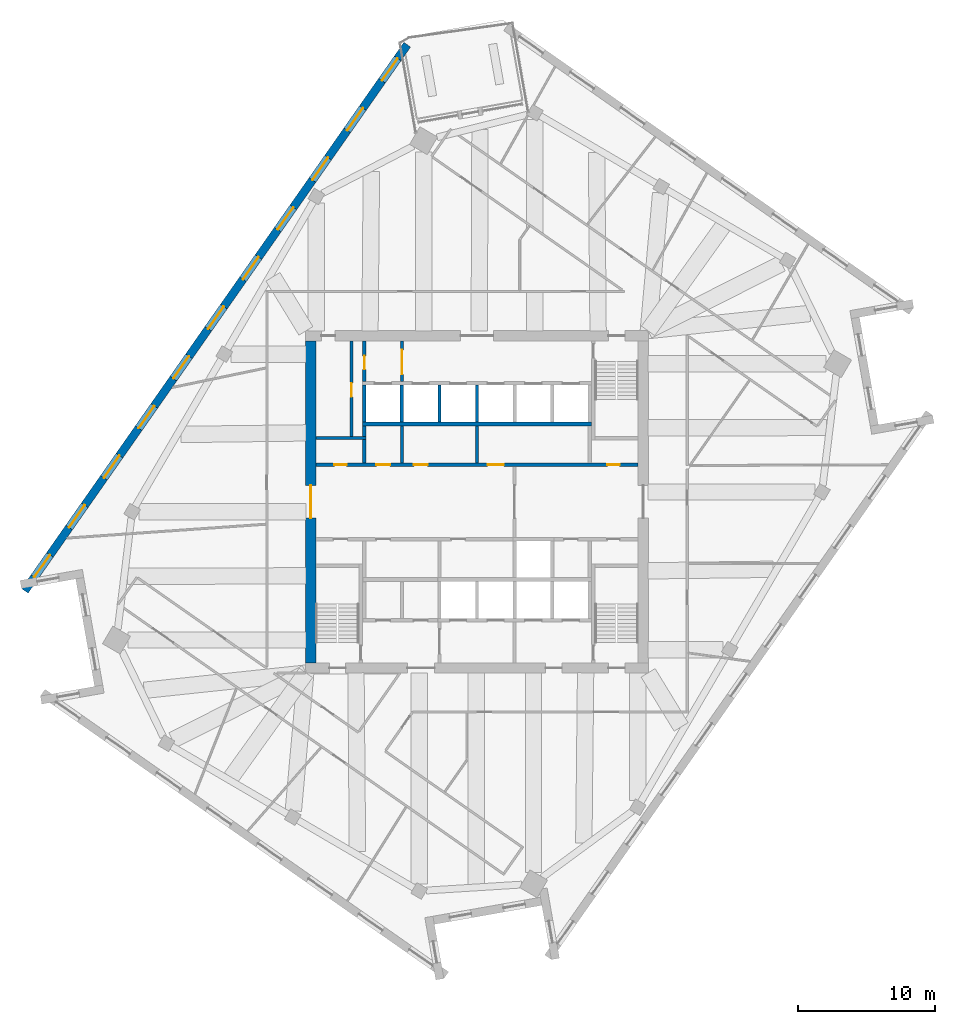
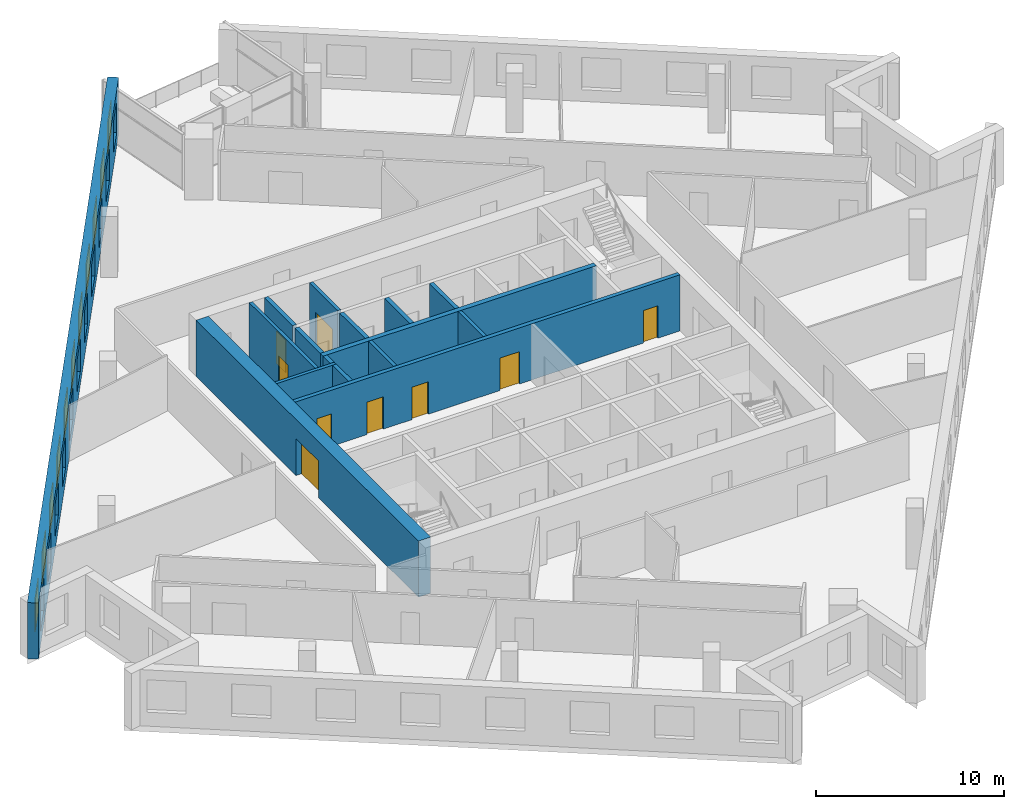
# One storey, part 9 of 13: 16 walls, 11 windows, 9 doors, 20 openings.
"""IFC4 building model written with IfcOpenShell, lengths in metres."""

from ifc_helpers import new_model, si_unit, direction, frame, frame_2d, origin, place, context, subcontext, project, spatial, rectangle, extrude, material, layer, layer_set, type_object, element, fill, save


model = new_model("IFC4")

# Units and contexts
model_context = context("Model", 3, precision=1e-05, world=origin(), true_north=direction((0.0, 1.0)))
body_context = subcontext(model_context, "Body", "Model", "MODEL_VIEW")
ifc_project = project(units=[si_unit("LENGTHUNIT", "METRE"), si_unit("AREAUNIT", "SQUARE_METRE"), si_unit("VOLUMEUNIT", "CUBIC_METRE"), si_unit("PLANEANGLEUNIT", "RADIAN"), si_unit("MASSUNIT", "GRAM", prefix="KILO")], contexts=[model_context])

# Site, building, storey
site_placement = place(None, origin())
site = spatial("IfcSite", under=ifc_project, at=site_placement, CompositionType="ELEMENT")
building_placement = place(site_placement, origin())
building = spatial("IfcBuilding", under=site, at=building_placement, Name="Dilmun Exchange Tower", CompositionType="ELEMENT")
storey_placement = place(building_placement, frame((0.0, 0.0, 250.89990234375)))
storey = spatial("IfcBuildingStorey", under=building, at=storey_placement, Name="L59", CompositionType="ELEMENT", Elevation=250.89990234375)

# Walls
ifc_material_1 = material(Name="Concrete C40/50", Category="concrete")
ifc_layer_1 = layer(ifc_material_1, 0.199951171875)
ifc_layer_set_1 = layer_set([ifc_layer_1], Name="Concrete C40/50")
wall_type_1 = type_object("IfcWallType", Name="Core partition wall 200", PredefinedType="PARTITIONING", material=ifc_layer_set_1)
for number, where, z_axis, x_axis, name in (
    (1, (-5.5, 2.85498046875, 0.0), (0.0, 0.0, 1.0), (0.0, 1.0, 0.0), "L59 core partition wall 15"),
    (2, (0.0, 2.85498046875, 0.0), (0.0, 0.0, 1.0), (0.0, 1.0, 0.0), "L59 core partition wall 16"),
):
    element("IfcWall", number, at=place(storey_placement, frame(where, z_axis=z_axis, x_axis=x_axis)), inside=storey, type_object=wall_type_1, Name=name, PredefinedType="PARTITIONING", context=body_context, shape_type="SweptSolid", body=[
        extrude(rectangle(XDim=2.68994140625, YDim=0.199951171875, at=frame_2d((1.344970703125, 0.0))), origin(), (0.0, 0.0, 1.0), 3.64013671875),
    ])
wall_1_placement = place(storey_placement, frame((-11.794921875, 4.675048828125, 0.0), z_axis=(0.0, 0.0, 1.0), x_axis=(1.0, 0.0, 0.0)))
element("IfcWall", 3, at=wall_1_placement, inside=storey, type_object=wall_type_1, Name="L59 core partition wall 18", PredefinedType="PARTITIONING", context=body_context, shape_type="SweptSolid", body=[
    extrude(rectangle(XDim=3.64501953125, YDim=0.199951171875, at=frame_2d((1.822509765625, 0.0))), origin(), (0.0, 0.0, 1.0), 3.64013671875),
])

# Wall, opening, door
wall_2_placement = place(storey_placement, frame((-9.199951171875, 4.780029296875, 0.0), z_axis=(0.0, 0.0, 1.0), x_axis=(0.0, 1.0, 0.0)))
wall_2 = element("IfcWall", 4, at=wall_2_placement, inside=storey, type_object=wall_type_1, Name="L59 core partition wall 19", PredefinedType="PARTITIONING", context=body_context, shape_type="SweptSolid", body=[
    extrude(rectangle(XDim=7.014892578125, YDim=0.199951171875, at=frame_2d((3.50732421875, 0.0))), origin(), (0.0, 0.0, 1.0), 3.64013671875),
])
opening_1_placement = place(wall_2_placement, frame((2.919921875, 0.0, 0.0)))
opening_1 = element("IfcOpeningElement", 5, at=opening_1_placement, cuts=wall_2, Name="Opening CD4", PredefinedType="OPENING", context=body_context, shape_type="SweptSolid", body=[
    extrude(rectangle(XDim=1.0, YDim=2.10009765625, at=frame_2d((0.5, 1.050048828125))), frame((0.0, 0.10986328125, 0.0), z_axis=(0.0, -1.0, 0.0), x_axis=(1.0, 0.0, 0.0)), (0.0, 0.0, 1.0), 0.219970703125),
])
ifc_material_2 = material(Name="Fire-rated steel door set", Category="steel")
door_type_1 = type_object("IfcDoorType", Name="Core room door 1000x2100", OperationType="SINGLE_SWING_LEFT", PredefinedType="DOOR", material=ifc_material_2)
door_1_placement = place(opening_1_placement, origin())
door_1 = element("IfcDoor", 6, at=door_1_placement, inside=storey, type_object=door_type_1, Name="L59 door Fire safety store", OperationType="SINGLE_SWING_RIGHT", OverallHeight=2.10009765625, OverallWidth=1.0, PredefinedType="DOOR", context=body_context, shape_type="SweptSolid", body=[
    extrude(rectangle(XDim=1.0, YDim=2.10009765625, at=frame_2d((0.5, 1.050048828125))), frame((0.0, 0.02490234375, 0.0), z_axis=(0.0, -1.0, 0.0), x_axis=(1.0, 0.0, 0.0)), (0.0, 0.0, 1.0), 0.050048828125),
])
fill(opening_1, door_1)

wall_3_placement = place(storey_placement, frame((-5.5, 8.804931640625, 0.0), z_axis=(0.0, 0.0, 1.0), x_axis=(0.0, 1.0, 0.0)))
wall_3 = element("IfcWall", 7, at=wall_3_placement, inside=storey, type_object=wall_type_1, Name="L59 core partition wall 22", PredefinedType="PARTITIONING", context=body_context, shape_type="SweptSolid", body=[
    extrude(rectangle(XDim=2.989990234375, YDim=0.199951171875, at=frame_2d((1.4951171875, 0.0))), origin(), (0.0, 0.0, 1.0), 3.64013671875),
])
opening_2_placement = place(wall_3_placement, frame((0.532470703125, 0.0, 0.0)))
opening_2 = element("IfcOpeningElement", 8, at=opening_2_placement, cuts=wall_3, Name="Opening CD5", PredefinedType="OPENING", context=body_context, shape_type="SweptSolid", body=[
    extrude(rectangle(XDim=1.800048828125, YDim=2.10009765625, at=frame_2d((0.89990234375, 1.050048828125))), frame((0.0, 0.10986328125, 0.0), z_axis=(0.0, -1.0, 0.0), x_axis=(1.0, 0.0, 0.0)), (0.0, 0.0, 1.0), 0.219970703125),
])
door_type_2 = type_object("IfcDoorType", Name="Stair exit door 1800x2100", OperationType="SINGLE_SWING_LEFT", PredefinedType="DOOR", material=ifc_material_2)
door_2_placement = place(opening_2_placement, origin())
door_2 = element("IfcDoor", 9, at=door_2_placement, inside=storey, type_object=door_type_2, Name="L59 door Lift lobby east", OperationType="SINGLE_SWING_LEFT", OverallHeight=2.10009765625, OverallWidth=1.800048828125, PredefinedType="DOOR", context=body_context, shape_type="SweptSolid", body=[
    extrude(rectangle(XDim=1.800048828125, YDim=2.10009765625, at=frame_2d((0.89990234375, 1.050048828125))), frame((0.0, 0.02490234375, 0.0), z_axis=(0.0, -1.0, 0.0), x_axis=(1.0, 0.0, 0.0)), (0.0, 0.0, 1.0), 0.050048828125),
])
fill(opening_2, door_2)

# Wall, openings, doors
ifc_layer_2 = layer(ifc_material_1, 0.25)
ifc_layer_set_2 = layer_set([ifc_layer_2], Name="Concrete C40/50")
wall_type_2 = type_object("IfcWallType", Name="Core partition wall 250", PredefinedType="PARTITIONING", material=ifc_layer_set_2)
wall_4_placement = place(storey_placement, frame((-11.794921875, 2.72509765625, 0.0), z_axis=(0.0, 0.0, 1.0), x_axis=(1.0, 0.0, 0.0)))
wall_4 = element("IfcWall", 10, at=wall_4_placement, inside=storey, type_object=wall_type_2, Name="L59 core partition wall 13", PredefinedType="PARTITIONING", context=body_context, shape_type="SweptSolid", body=[
    extrude(rectangle(XDim=23.58984375, YDim=0.25, at=frame_2d((11.794921875, 0.0))), origin(), (0.0, 0.0, 1.0), 3.64013671875),
])
opening_3_placement = place(wall_4_placement, frame((21.344970703125, 0.0, 0.0)))
opening_3 = element("IfcOpeningElement", 11, at=opening_3_placement, cuts=wall_4, Name="Opening CD6", PredefinedType="OPENING", context=body_context, shape_type="SweptSolid", body=[
    extrude(rectangle(XDim=0.89990234375, YDim=2.10009765625, at=frame_2d((0.449951171875, 1.050048828125))), frame((0.0, 0.135009765625, 0.0), z_axis=(0.0, -1.0, 0.0), x_axis=(1.0, 0.0, 0.0)), (0.0, 0.0, 1.0), 0.27001953125),
])
opening_4_placement = place(wall_4_placement, frame((1.344970703125, 0.0, 0.0)))
opening_4 = element("IfcOpeningElement", 12, at=opening_4_placement, cuts=wall_4, Name="Opening CD6", PredefinedType="OPENING", context=body_context, shape_type="SweptSolid", body=[
    extrude(rectangle(XDim=0.89990234375, YDim=2.10009765625, at=frame_2d((0.449951171875, 1.050048828125))), frame((0.0, 0.135009765625, 0.0), z_axis=(0.0, -1.0, 0.0), x_axis=(1.0, 0.0, 0.0)), (0.0, 0.0, 1.0), 0.27001953125),
])
opening_5_placement = place(wall_4_placement, frame((4.419921875, 0.0, 0.0)))
opening_5 = element("IfcOpeningElement", 13, at=opening_5_placement, cuts=wall_4, Name="Opening CD4", PredefinedType="OPENING", context=body_context, shape_type="SweptSolid", body=[
    extrude(rectangle(XDim=1.0, YDim=2.10009765625, at=frame_2d((0.5, 1.050048828125))), frame((0.0, 0.135009765625, 0.0), z_axis=(0.0, -1.0, 0.0), x_axis=(1.0, 0.0, 0.0)), (0.0, 0.0, 1.0), 0.27001953125),
])
opening_6_placement = place(wall_4_placement, frame((7.169921875, 0.0, 0.0)))
opening_6 = element("IfcOpeningElement", 14, at=opening_6_placement, cuts=wall_4, Name="Opening CD4", PredefinedType="OPENING", context=body_context, shape_type="SweptSolid", body=[
    extrude(rectangle(XDim=1.0, YDim=2.10009765625, at=frame_2d((0.5, 1.050048828125))), frame((0.0, 0.135009765625, 0.0), z_axis=(0.0, -1.0, 0.0), x_axis=(1.0, 0.0, 0.0)), (0.0, 0.0, 1.0), 0.27001953125),
])
opening_7_placement = place(wall_4_placement, frame((12.570068359375, 0.0, 0.0)))
opening_7 = element("IfcOpeningElement", 15, at=opening_7_placement, cuts=wall_4, Name="Opening CD3", PredefinedType="OPENING", context=body_context, shape_type="SweptSolid", body=[
    extrude(rectangle(XDim=1.199951171875, YDim=2.10009765625, at=frame_2d((0.60009765625, 1.050048828125))), frame((0.0, 0.135009765625, 0.0), z_axis=(0.0, -1.0, 0.0), x_axis=(1.0, 0.0, 0.0)), (0.0, 0.0, 1.0), 0.27001953125),
])
door_3_placement = place(opening_5_placement, origin())
door_3 = element("IfcDoor", 16, at=door_3_placement, inside=storey, type_object=door_type_1, Name="L59 door Server room", OperationType="SINGLE_SWING_RIGHT", OverallHeight=2.10009765625, OverallWidth=1.0, PredefinedType="DOOR", context=body_context, shape_type="SweptSolid", body=[
    extrude(rectangle(XDim=1.0, YDim=2.10009765625, at=frame_2d((0.5, 1.050048828125))), frame((0.0, 0.02490234375, 0.0), z_axis=(0.0, -1.0, 0.0), x_axis=(1.0, 0.0, 0.0)), (0.0, 0.0, 1.0), 0.050048828125),
])
fill(opening_5, door_3)
door_4_placement = place(opening_6_placement, origin())
door_4 = element("IfcDoor", 17, at=door_4_placement, inside=storey, type_object=door_type_1, Name="L59 door Archive store", OperationType="SINGLE_SWING_RIGHT", OverallHeight=2.10009765625, OverallWidth=1.0, PredefinedType="DOOR", context=body_context, shape_type="SweptSolid", body=[
    extrude(rectangle(XDim=1.0, YDim=2.10009765625, at=frame_2d((0.5, 1.050048828125))), frame((0.0, 0.02490234375, 0.0), z_axis=(0.0, -1.0, 0.0), x_axis=(1.0, 0.0, 0.0)), (0.0, 0.0, 1.0), 0.050048828125),
])
fill(opening_6, door_4)
door_type_3 = type_object("IfcDoorType", Name="Core room door 900x2100", OperationType="SINGLE_SWING_LEFT", PredefinedType="DOOR", material=ifc_material_2)
door_5_placement = place(opening_3_placement, origin())
door_5 = element("IfcDoor", 18, at=door_5_placement, inside=storey, type_object=door_type_3, Name="L59 door Electrical riser", OperationType="SINGLE_SWING_RIGHT", OverallHeight=2.10009765625, OverallWidth=0.89990234375, PredefinedType="DOOR", context=body_context, shape_type="SweptSolid", body=[
    extrude(rectangle(XDim=0.89990234375, YDim=2.10009765625, at=frame_2d((0.449951171875, 1.050048828125))), frame((0.0, 0.02490234375, 0.0), z_axis=(0.0, -1.0, 0.0), x_axis=(1.0, 0.0, 0.0)), (0.0, 0.0, 1.0), 0.050048828125),
])
fill(opening_3, door_5)
door_6_placement = place(opening_4_placement, origin())
door_6 = element("IfcDoor", 19, at=door_6_placement, inside=storey, type_object=door_type_3, Name="L59 door Plumbing riser", OperationType="SINGLE_SWING_RIGHT", OverallHeight=2.10009765625, OverallWidth=0.89990234375, PredefinedType="DOOR", context=body_context, shape_type="SweptSolid", body=[
    extrude(rectangle(XDim=0.89990234375, YDim=2.10009765625, at=frame_2d((0.449951171875, 1.050048828125))), frame((0.0, 0.02490234375, 0.0), z_axis=(0.0, -1.0, 0.0), x_axis=(1.0, 0.0, 0.0)), (0.0, 0.0, 1.0), 0.050048828125),
])
fill(opening_4, door_6)
door_type_4 = type_object("IfcDoorType", Name="Stair exit door 1200x2100", OperationType="SINGLE_SWING_LEFT", PredefinedType="DOOR", material=ifc_material_2)
door_7_placement = place(opening_7_placement, origin())
door_7 = element("IfcDoor", 20, at=door_7_placement, inside=storey, type_object=door_type_4, Name="L59 door Facilities workshop", OperationType="SINGLE_SWING_LEFT", OverallHeight=2.10009765625, OverallWidth=1.199951171875, PredefinedType="DOOR", context=body_context, shape_type="SweptSolid", body=[
    extrude(rectangle(XDim=1.199951171875, YDim=2.10009765625, at=frame_2d((0.60009765625, 1.050048828125))), frame((0.0, 0.02490234375, 0.0), z_axis=(0.0, -1.0, 0.0), x_axis=(1.0, 0.0, 0.0)), (0.0, 0.0, 1.0), 0.050048828125),
])
fill(opening_7, door_7)

# Walls
wall_5_placement = place(storey_placement, frame((-8.25, 2.85498046875, 0.0), z_axis=(0.0, 0.0, 1.0), x_axis=(0.0, 1.0, 0.0)))
element("IfcWall", 21, at=wall_5_placement, inside=storey, type_object=wall_type_2, Name="L59 core partition wall 14", PredefinedType="PARTITIONING", context=body_context, shape_type="SweptSolid", body=[
    extrude(rectangle(XDim=1.715087890625, YDim=0.25, at=frame_2d((0.857421875, 0.0))), origin(), (0.0, 0.0, 1.0), 3.64013671875),
])
wall_6_placement = place(storey_placement, frame((-8.25, 4.780029296875, 0.0), z_axis=(0.0, 0.0, 1.0), x_axis=(0.0, 1.0, 0.0)))
element("IfcWall", 22, at=wall_6_placement, inside=storey, type_object=wall_type_2, Name="L59 core partition wall 20", PredefinedType="PARTITIONING", context=body_context, shape_type="SweptSolid", body=[
    extrude(rectangle(XDim=0.764892578125, YDim=0.25, at=frame_2d((0.38232421875, 0.0))), origin(), (0.0, 0.0, 1.0), 3.64013671875),
])

# Wall, opening, door
wall_7_placement = place(storey_placement, frame((-8.25, 8.804931640625, 0.0), z_axis=(0.0, 0.0, 1.0), x_axis=(0.0, 1.0, 0.0)))
wall_7 = element("IfcWall", 23, at=wall_7_placement, inside=storey, type_object=wall_type_2, Name="L59 core partition wall 21", PredefinedType="PARTITIONING", context=body_context, shape_type="SweptSolid", body=[
    extrude(rectangle(XDim=2.989990234375, YDim=0.25, at=frame_2d((1.4951171875, 0.0))), origin(), (0.0, 0.0, 1.0), 3.64013671875),
])
opening_8_placement = place(wall_7_placement, frame((0.89501953125, 0.0, 0.0)))
opening_8 = element("IfcOpeningElement", 24, at=opening_8_placement, cuts=wall_7, Name="Opening CD4", PredefinedType="OPENING", context=body_context, shape_type="SweptSolid", body=[
    extrude(rectangle(XDim=1.0, YDim=2.10009765625, at=frame_2d((0.5, 1.050048828125))), frame((0.0, 0.135009765625, 0.0), z_axis=(0.0, -1.0, 0.0), x_axis=(1.0, 0.0, 0.0)), (0.0, 0.0, 1.0), 0.27001953125),
])
door_8_placement = place(opening_8_placement, origin())
door_8 = element("IfcDoor", 25, at=door_8_placement, inside=storey, type_object=door_type_1, Name="L59 door Tenant services room", OperationType="SINGLE_SWING_RIGHT", OverallHeight=2.10009765625, OverallWidth=1.0, PredefinedType="DOOR", context=body_context, shape_type="SweptSolid", body=[
    extrude(rectangle(XDim=1.0, YDim=2.10009765625, at=frame_2d((0.5, 1.050048828125))), frame((0.0, 0.02490234375, 0.0), z_axis=(0.0, -1.0, 0.0), x_axis=(1.0, 0.0, 0.0)), (0.0, 0.0, 1.0), 0.050048828125),
])
fill(opening_8, door_8)

ifc_material_3 = material(Name="Concrete C50/60", Category="concrete")
ifc_layer_3 = layer(ifc_material_3, 0.75)
ifc_layer_set_3 = layer_set([ifc_layer_3], Name="Concrete C50/60")
wall_type_3 = type_object("IfcWallType", Name="Core shear wall 750 Concrete C50/60", PredefinedType="SHEAR", material=ifc_layer_set_3)
wall_8_placement = place(storey_placement, frame((-12.175048828125, -11.800048828125, 0.0), z_axis=(0.0, 0.0, 1.0), x_axis=(0.0, 1.0, 0.0)))
wall_8 = element("IfcWall", 26, at=wall_8_placement, inside=storey, type_object=wall_type_3, Name="L59 core shear wall W", PredefinedType="SHEAR", context=body_context, shape_type="SweptSolid", body=[
    extrude(rectangle(XDim=23.60009765625, YDim=0.75, at=frame_2d((11.800048828125, 0.0))), origin(), (0.0, 0.0, 1.0), 3.64013671875),
])
opening_9_placement = place(wall_8_placement, frame((10.60009765625, 0.0, 0.0)))
opening_9 = element("IfcOpeningElement", 27, at=opening_9_placement, cuts=wall_8, Name="Opening CD1", PredefinedType="OPENING", context=body_context, shape_type="SweptSolid", body=[
    extrude(rectangle(XDim=2.39990234375, YDim=2.39990234375, at=frame_2d((1.199951171875, 1.199951171875))), frame((0.0, 0.385009765625, 0.0), z_axis=(0.0, -1.0, 0.0), x_axis=(1.0, 0.0, 0.0)), (0.0, 0.0, 1.0), 0.77001953125),
])
door_type_5 = type_object("IfcDoorType", Name="Core lobby door 2400x2400", OperationType="DOUBLE_DOOR_DOUBLE_SWING", PredefinedType="DOOR", material=ifc_material_2)
door_9_placement = place(opening_9_placement, origin())
door_9 = element("IfcDoor", 28, at=door_9_placement, inside=storey, type_object=door_type_5, Name="L59 door Central lift lobby", OperationType="SINGLE_SWING_LEFT", OverallHeight=2.39990234375, OverallWidth=2.39990234375, PredefinedType="DOOR", context=body_context, shape_type="SweptSolid", body=[
    extrude(rectangle(XDim=2.39990234375, YDim=2.39990234375, at=frame_2d((1.199951171875, 1.199951171875))), frame((0.0, 0.02490234375, 0.0), z_axis=(0.0, -1.0, 0.0), x_axis=(1.0, 0.0, 0.0)), (0.0, 0.0, 1.0), 0.050048828125),
])
fill(opening_9, door_9)

# Walls
ifc_layer_4 = layer(ifc_material_1, 0.300048828125)
ifc_layer_set_4 = layer_set([ifc_layer_4], Name="Concrete C40/50")
wall_type_4 = type_object("IfcWallType", Name="Lift shaft shared wall 300", PredefinedType="SOLIDWALL", material=ifc_layer_set_4)
wall_9_placement = place(storey_placement, frame((-8.375, 5.699951171875, 0.0), z_axis=(0.0, 0.0, 1.0), x_axis=(1.0, 0.0, 0.0)))
element("IfcWall", 29, at=wall_9_placement, inside=storey, type_object=wall_type_4, Name="L59 lift shaft rear wall N", PredefinedType="SOLIDWALL", context=body_context, shape_type="SweptSolid", body=[
    extrude(rectangle(XDim=16.75, YDim=0.300048828125, at=frame_2d((8.375, 0.0))), origin(), (0.0, 0.0, 1.0), 3.64013671875),
])
ifc_layer_5 = layer(ifc_material_1, 0.25)
ifc_layer_set_5 = layer_set([ifc_layer_5], Name="Concrete C40/50")
wall_type_5 = type_object("IfcWallType", Name="Lift shaft wall 250", PredefinedType="SOLIDWALL", material=ifc_layer_set_5)
for number, where, z_axis, x_axis, name in (
    (30, (-8.25, 5.85009765625, 0.0), (0.0, 0.0, 1.0), (0.0, 1.0, 0.0), "L59 lift shaft divider N20"),
    (31, (-5.5, 5.85009765625, 0.0), (0.0, 0.0, 1.0), (0.0, 1.0, 0.0), "L59 lift shaft divider N21"),
    (32, (-2.75, 5.85009765625, 0.0), (0.0, 0.0, 1.0), (0.0, 1.0, 0.0), "L59 lift shaft divider N22"),
    (33, (0.0, 5.85009765625, 0.0), (0.0, 0.0, 1.0), (0.0, 1.0, 0.0), "L59 lift shaft divider N23"),
):
    element("IfcWall", number, at=place(storey_placement, frame(where, z_axis=z_axis, x_axis=x_axis)), inside=storey, type_object=wall_type_5, Name=name, PredefinedType="SOLIDWALL", context=body_context, shape_type="SweptSolid", body=[
        extrude(rectangle(XDim=2.699951171875, YDim=0.25, at=frame_2d((1.35009765625, 0.0))), origin(), (0.0, 0.0, 1.0), 3.64013671875),
    ])

# Wall, openings, windows
ifc_material_4 = material(Name="Precast concrete C50/60", Category="concrete")
ifc_layer_6 = layer(ifc_material_4, 0.60009765625)
ifc_layer_set_6 = layer_set([ifc_layer_6], Name="Precast concrete C50/60")
wall_type_6 = type_object("IfcWallType", Name="Precast stone-clad wall 600", PredefinedType="STANDARD", material=ifc_layer_set_6)
wall_10_placement = place(storey_placement, frame((-5.115478515625, 33.490966796875, 0.0), z_axis=(0.0, 0.0, 1.0), x_axis=(-0.57357740375, -0.819151366908, 0.0)))
wall_10 = element("IfcWall", 34, at=wall_10_placement, inside=storey, type_object=wall_type_6, Name="Facade wall L59-03", PredefinedType="STANDARD", context=body_context, shape_type="SweptSolid", body=[
    extrude(rectangle(XDim=48.84326171875, YDim=0.60009765625, at=frame_2d((24.421630859375, 0.0))), origin(), (0.0, 0.0, 1.0), 3.64013671875),
])
opening_10_placement = place(wall_10_placement, frame((1.22021484375, 0.0, 0.89990234375)))
opening_10 = element("IfcOpeningElement", 35, at=opening_10_placement, cuts=wall_10, Name="Opening W200-210", PredefinedType="OPENING", context=body_context, shape_type="SweptSolid", body=[
    extrude(rectangle(XDim=2.0, YDim=2.10009765625, at=frame_2d((1.0, 1.050048828125))), frame((0.0, 0.31005859375, 0.0), z_axis=(0.0, -1.0, 0.0), x_axis=(1.0, 0.0, 0.0)), (0.0, 0.0, 1.0), 0.6201171875),
])
opening_11_placement = place(wall_10_placement, frame((5.660400390625, 0.0, 0.89990234375)))
opening_11 = element("IfcOpeningElement", 36, at=opening_11_placement, cuts=wall_10, Name="Opening W200-210", PredefinedType="OPENING", context=body_context, shape_type="SweptSolid", body=[
    extrude(rectangle(XDim=2.0, YDim=2.10009765625, at=frame_2d((1.0, 1.050048828125))), frame((0.0, 0.31005859375, 0.0), z_axis=(0.0, -1.0, 0.0), x_axis=(1.0, 0.0, 0.0)), (0.0, 0.0, 1.0), 0.6201171875),
])
opening_12_placement = place(wall_10_placement, frame((10.1005859375, 0.0, 0.89990234375)))
opening_12 = element("IfcOpeningElement", 37, at=opening_12_placement, cuts=wall_10, Name="Opening W200-210", PredefinedType="OPENING", context=body_context, shape_type="SweptSolid", body=[
    extrude(rectangle(XDim=2.0, YDim=2.10009765625, at=frame_2d((1.0, 1.050048828125))), frame((0.0, 0.31005859375, 0.0), z_axis=(0.0, -1.0, 0.0), x_axis=(1.0, 0.0, 0.0)), (0.0, 0.0, 1.0), 0.6201171875),
])
opening_13_placement = place(wall_10_placement, frame((14.541015625, 0.0, 0.89990234375)))
opening_13 = element("IfcOpeningElement", 38, at=opening_13_placement, cuts=wall_10, Name="Opening W200-210", PredefinedType="OPENING", context=body_context, shape_type="SweptSolid", body=[
    extrude(rectangle(XDim=2.0, YDim=2.10009765625, at=frame_2d((1.0, 1.050048828125))), frame((0.0, 0.31005859375, 0.0), z_axis=(0.0, -1.0, 0.0), x_axis=(1.0, 0.0, 0.0)), (0.0, 0.0, 1.0), 0.6201171875),
])
opening_14_placement = place(wall_10_placement, frame((18.981201171875, 0.0, 0.89990234375)))
opening_14 = element("IfcOpeningElement", 39, at=opening_14_placement, cuts=wall_10, Name="Opening W200-210", PredefinedType="OPENING", context=body_context, shape_type="SweptSolid", body=[
    extrude(rectangle(XDim=2.0, YDim=2.10009765625, at=frame_2d((1.0, 1.050048828125))), frame((0.0, 0.31005859375, 0.0), z_axis=(0.0, -1.0, 0.0), x_axis=(1.0, 0.0, 0.0)), (0.0, 0.0, 1.0), 0.6201171875),
])
opening_15_placement = place(wall_10_placement, frame((23.421630859375, 0.0, 0.89990234375)))
opening_15 = element("IfcOpeningElement", 40, at=opening_15_placement, cuts=wall_10, Name="Opening W200-210", PredefinedType="OPENING", context=body_context, shape_type="SweptSolid", body=[
    extrude(rectangle(XDim=2.0, YDim=2.10009765625, at=frame_2d((1.0, 1.050048828125))), frame((0.0, 0.31005859375, 0.0), z_axis=(0.0, -1.0, 0.0), x_axis=(1.0, 0.0, 0.0)), (0.0, 0.0, 1.0), 0.6201171875),
])
opening_16_placement = place(wall_10_placement, frame((27.86181640625, 0.0, 0.89990234375)))
opening_16 = element("IfcOpeningElement", 41, at=opening_16_placement, cuts=wall_10, Name="Opening W200-210", PredefinedType="OPENING", context=body_context, shape_type="SweptSolid", body=[
    extrude(rectangle(XDim=2.0, YDim=2.10009765625, at=frame_2d((1.0, 1.050048828125))), frame((0.0, 0.31005859375, 0.0), z_axis=(0.0, -1.0, 0.0), x_axis=(1.0, 0.0, 0.0)), (0.0, 0.0, 1.0), 0.6201171875),
])
opening_17_placement = place(wall_10_placement, frame((32.302001953125, 0.0, 0.89990234375)))
opening_17 = element("IfcOpeningElement", 42, at=opening_17_placement, cuts=wall_10, Name="Opening W200-210", PredefinedType="OPENING", context=body_context, shape_type="SweptSolid", body=[
    extrude(rectangle(XDim=2.0, YDim=2.10009765625, at=frame_2d((1.0, 1.050048828125))), frame((0.0, 0.31005859375, 0.0), z_axis=(0.0, -1.0, 0.0), x_axis=(1.0, 0.0, 0.0)), (0.0, 0.0, 1.0), 0.6201171875),
])
opening_18_placement = place(wall_10_placement, frame((36.742431640625, 0.0, 0.89990234375)))
opening_18 = element("IfcOpeningElement", 43, at=opening_18_placement, cuts=wall_10, Name="Opening W200-210", PredefinedType="OPENING", context=body_context, shape_type="SweptSolid", body=[
    extrude(rectangle(XDim=2.0, YDim=2.10009765625, at=frame_2d((1.0, 1.050048828125))), frame((0.0, 0.31005859375, 0.0), z_axis=(0.0, -1.0, 0.0), x_axis=(1.0, 0.0, 0.0)), (0.0, 0.0, 1.0), 0.6201171875),
])
opening_19_placement = place(wall_10_placement, frame((41.1826171875, 0.0, 0.89990234375)))
opening_19 = element("IfcOpeningElement", 44, at=opening_19_placement, cuts=wall_10, Name="Opening W200-210", PredefinedType="OPENING", context=body_context, shape_type="SweptSolid", body=[
    extrude(rectangle(XDim=2.0, YDim=2.10009765625, at=frame_2d((1.0, 1.050048828125))), frame((0.0, 0.31005859375, 0.0), z_axis=(0.0, -1.0, 0.0), x_axis=(1.0, 0.0, 0.0)), (0.0, 0.0, 1.0), 0.6201171875),
])
opening_20_placement = place(wall_10_placement, frame((45.623046875, 0.0, 0.89990234375)))
opening_20 = element("IfcOpeningElement", 45, at=opening_20_placement, cuts=wall_10, Name="Opening W200-210", PredefinedType="OPENING", context=body_context, shape_type="SweptSolid", body=[
    extrude(rectangle(XDim=2.0, YDim=2.10009765625, at=frame_2d((1.0, 1.050048828125))), frame((0.0, 0.31005859375, 0.0), z_axis=(0.0, -1.0, 0.0), x_axis=(1.0, 0.0, 0.0)), (0.0, 0.0, 1.0), 0.6201171875),
])
ifc_material_5 = material(Name="Clear low-emissivity glass in aluminium frame", Category="aluminium")
window_type = type_object("IfcWindowType", Name="Punched window 2000 x 2100", PartitioningType="DOUBLE_PANEL_VERTICAL", PredefinedType="WINDOW", material=ifc_material_5)
window_1_placement = place(opening_10_placement, origin())
window_1 = element("IfcWindow", 46, at=window_1_placement, inside=storey, type_object=window_type, Name="Window 4.1", OverallHeight=2.10009765625, OverallWidth=2.0, PartitioningType="SINGLE_PANEL", PredefinedType="WINDOW", context=body_context, shape_type="SweptSolid", body=[
    extrude(rectangle(XDim=2.0, YDim=2.10009765625, at=frame_2d((1.0, 1.050048828125))), frame((0.0, 0.030029296875, 0.0), z_axis=(0.0, -1.0, 0.0), x_axis=(1.0, 0.0, 0.0)), (0.0, 0.0, 1.0), 0.06005859375),
])
fill(opening_10, window_1)
window_2_placement = place(opening_11_placement, origin())
window_2 = element("IfcWindow", 47, at=window_2_placement, inside=storey, type_object=window_type, Name="Window 4.2", OverallHeight=2.10009765625, OverallWidth=2.0, PartitioningType="SINGLE_PANEL", PredefinedType="WINDOW", context=body_context, shape_type="SweptSolid", body=[
    extrude(rectangle(XDim=2.0, YDim=2.10009765625, at=frame_2d((1.0, 1.050048828125))), frame((0.0, 0.030029296875, 0.0), z_axis=(0.0, -1.0, 0.0), x_axis=(1.0, 0.0, 0.0)), (0.0, 0.0, 1.0), 0.06005859375),
])
fill(opening_11, window_2)
window_3_placement = place(opening_12_placement, origin())
window_3 = element("IfcWindow", 48, at=window_3_placement, inside=storey, type_object=window_type, Name="Window 4.3", OverallHeight=2.10009765625, OverallWidth=2.0, PartitioningType="SINGLE_PANEL", PredefinedType="WINDOW", context=body_context, shape_type="SweptSolid", body=[
    extrude(rectangle(XDim=2.0, YDim=2.10009765625, at=frame_2d((1.0, 1.050048828125))), frame((0.0, 0.030029296875, 0.0), z_axis=(0.0, -1.0, 0.0), x_axis=(1.0, 0.0, 0.0)), (0.0, 0.0, 1.0), 0.06005859375),
])
fill(opening_12, window_3)
window_4_placement = place(opening_13_placement, origin())
window_4 = element("IfcWindow", 49, at=window_4_placement, inside=storey, type_object=window_type, Name="Window 4.4", OverallHeight=2.10009765625, OverallWidth=2.0, PartitioningType="SINGLE_PANEL", PredefinedType="WINDOW", context=body_context, shape_type="SweptSolid", body=[
    extrude(rectangle(XDim=2.0, YDim=2.10009765625, at=frame_2d((1.0, 1.050048828125))), frame((0.0, 0.030029296875, 0.0), z_axis=(0.0, -1.0, 0.0), x_axis=(1.0, 0.0, 0.0)), (0.0, 0.0, 1.0), 0.06005859375),
])
fill(opening_13, window_4)
window_5_placement = place(opening_14_placement, origin())
window_5 = element("IfcWindow", 50, at=window_5_placement, inside=storey, type_object=window_type, Name="Window 4.5", OverallHeight=2.10009765625, OverallWidth=2.0, PartitioningType="SINGLE_PANEL", PredefinedType="WINDOW", context=body_context, shape_type="SweptSolid", body=[
    extrude(rectangle(XDim=2.0, YDim=2.10009765625, at=frame_2d((1.0, 1.050048828125))), frame((0.0, 0.030029296875, 0.0), z_axis=(0.0, -1.0, 0.0), x_axis=(1.0, 0.0, 0.0)), (0.0, 0.0, 1.0), 0.06005859375),
])
fill(opening_14, window_5)
window_6_placement = place(opening_15_placement, origin())
window_6 = element("IfcWindow", 51, at=window_6_placement, inside=storey, type_object=window_type, Name="Window 4.6", OverallHeight=2.10009765625, OverallWidth=2.0, PartitioningType="SINGLE_PANEL", PredefinedType="WINDOW", context=body_context, shape_type="SweptSolid", body=[
    extrude(rectangle(XDim=2.0, YDim=2.10009765625, at=frame_2d((1.0, 1.050048828125))), frame((0.0, 0.030029296875, 0.0), z_axis=(0.0, -1.0, 0.0), x_axis=(1.0, 0.0, 0.0)), (0.0, 0.0, 1.0), 0.06005859375),
])
fill(opening_15, window_6)
window_7_placement = place(opening_16_placement, origin())
window_7 = element("IfcWindow", 52, at=window_7_placement, inside=storey, type_object=window_type, Name="Window 4.7", OverallHeight=2.10009765625, OverallWidth=2.0, PartitioningType="SINGLE_PANEL", PredefinedType="WINDOW", context=body_context, shape_type="SweptSolid", body=[
    extrude(rectangle(XDim=2.0, YDim=2.10009765625, at=frame_2d((1.0, 1.050048828125))), frame((0.0, 0.030029296875, 0.0), z_axis=(0.0, -1.0, 0.0), x_axis=(1.0, 0.0, 0.0)), (0.0, 0.0, 1.0), 0.06005859375),
])
fill(opening_16, window_7)
window_8_placement = place(opening_17_placement, origin())
window_8 = element("IfcWindow", 53, at=window_8_placement, inside=storey, type_object=window_type, Name="Window 4.8", OverallHeight=2.10009765625, OverallWidth=2.0, PartitioningType="SINGLE_PANEL", PredefinedType="WINDOW", context=body_context, shape_type="SweptSolid", body=[
    extrude(rectangle(XDim=2.0, YDim=2.10009765625, at=frame_2d((1.0, 1.050048828125))), frame((0.0, 0.030029296875, 0.0), z_axis=(0.0, -1.0, 0.0), x_axis=(1.0, 0.0, 0.0)), (0.0, 0.0, 1.0), 0.06005859375),
])
fill(opening_17, window_8)
window_9_placement = place(opening_18_placement, origin())
window_9 = element("IfcWindow", 54, at=window_9_placement, inside=storey, type_object=window_type, Name="Window 4.9", OverallHeight=2.10009765625, OverallWidth=2.0, PartitioningType="SINGLE_PANEL", PredefinedType="WINDOW", context=body_context, shape_type="SweptSolid", body=[
    extrude(rectangle(XDim=2.0, YDim=2.10009765625, at=frame_2d((1.0, 1.050048828125))), frame((0.0, 0.030029296875, 0.0), z_axis=(0.0, -1.0, 0.0), x_axis=(1.0, 0.0, 0.0)), (0.0, 0.0, 1.0), 0.06005859375),
])
fill(opening_18, window_9)
window_10_placement = place(opening_19_placement, origin())
window_10 = element("IfcWindow", 55, at=window_10_placement, inside=storey, type_object=window_type, Name="Window 4.10", OverallHeight=2.10009765625, OverallWidth=2.0, PartitioningType="SINGLE_PANEL", PredefinedType="WINDOW", context=body_context, shape_type="SweptSolid", body=[
    extrude(rectangle(XDim=2.0, YDim=2.10009765625, at=frame_2d((1.0, 1.050048828125))), frame((0.0, 0.030029296875, 0.0), z_axis=(0.0, -1.0, 0.0), x_axis=(1.0, 0.0, 0.0)), (0.0, 0.0, 1.0), 0.06005859375),
])
fill(opening_19, window_10)
window_11_placement = place(opening_20_placement, origin())
window_11 = element("IfcWindow", 56, at=window_11_placement, inside=storey, type_object=window_type, Name="Window 4.11", OverallHeight=2.10009765625, OverallWidth=2.0, PartitioningType="SINGLE_PANEL", PredefinedType="WINDOW", context=body_context, shape_type="SweptSolid", body=[
    extrude(rectangle(XDim=2.0, YDim=2.10009765625, at=frame_2d((1.0, 1.050048828125))), frame((0.0, 0.030029296875, 0.0), z_axis=(0.0, -1.0, 0.0), x_axis=(1.0, 0.0, 0.0)), (0.0, 0.0, 1.0), 0.06005859375),
])
fill(opening_20, window_11)

save(model, "model.ifc")
